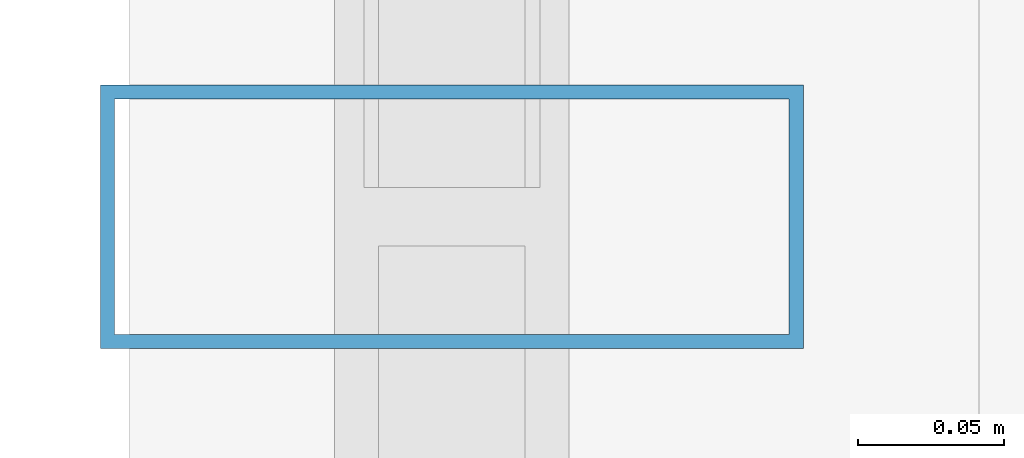
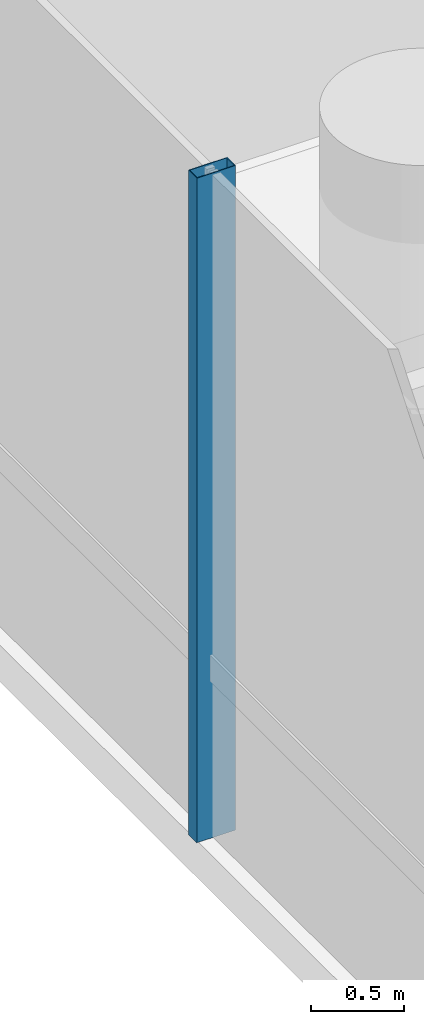
# One storey, part 6 of 32: 1 member, 1 element without a shape of its own.
"""IFC4 building model written with IfcOpenShell, lengths in metres."""

import ifcopenshell
import ifcopenshell.guid

model = None  # the IFC model being written
_history = None  # IfcOwnerHistory: only IFC2X3 demands one
_inside = {}  # id of a spatial element -> (the spatial element, [elements in it])
_under = {}  # id of a project, library or spatial element -> (it, [spatial elements below it])
_declared = {}  # id of a project -> (the project, [libraries it declares])
_typed = {}  # id of a type object -> (the type object, [elements of that type])
_made_of = {}  # id of a material, layer set ... -> (it, [elements and type objects made of it])


def new_model(schema):
    """Start an empty IFC model of exactly this schema.

    Asked for "IFC4X3", IfcOpenShell would pick the latest addendum, in which some entities
    have other attributes; the version numbers below select the first issue.
    IFC2X3 requires an IfcOwnerHistory on every rooted entity: one is made here for all.
    """
    global model, _history
    if schema == "IFC4X3":
        model = ifcopenshell.file(schema_version=(4, 3, 0, 0))
    else:
        model = ifcopenshell.file(schema=schema)
    _inside.clear()
    _under.clear()
    _declared.clear()
    _typed.clear()
    _made_of.clear()
    _history = None
    if model.schema == "IFC2X3":
        org = make("IfcOrganization", Name="unknown")
        user = make(
            "IfcPersonAndOrganization",
            ThePerson=make("IfcPerson", FamilyName="unknown"),
            TheOrganization=org,
        )
        app = make(
            "IfcApplication",
            ApplicationDeveloper=org,
            Version="unknown",
            ApplicationFullName="unknown",
            ApplicationIdentifier="unknown",
        )
        _history = make(
            "IfcOwnerHistory",
            OwningUser=user,
            OwningApplication=app,
            ChangeAction="ADDED",
            CreationDate=0,
        )
    return model


def make(cls, **values):
    """One entity of the class cls with the attributes given. An attribute that is None is left unset."""
    return model.create_entity(
        cls, **{name: value for name, value in values.items() if value is not None}
    )


def rooted(cls, **values):
    """An entity with a GlobalId (a new one), such as an element, a storey or a relation."""
    return make(cls, GlobalId=ifcopenshell.guid.new(), OwnerHistory=_history, **values)


def si_unit(unit_type, name, prefix=None):
    """IfcSIUnit, for example si_unit("LENGTHUNIT", "METRE", prefix="MILLI")."""
    return make("IfcSIUnit", UnitType=unit_type, Prefix=prefix, Name=name)


def assignment(units):
    """IfcUnitAssignment: the units of a project."""
    return None if units is None else make("IfcUnitAssignment", Units=units)


def point(xyz):
    """IfcCartesianPoint."""
    return None if xyz is None else make("IfcCartesianPoint", Coordinates=xyz)


def direction(xyz):
    """IfcDirection."""
    return None if xyz is None else make("IfcDirection", DirectionRatios=xyz)


def frame(location, z_axis=None, x_axis=None):
    """IfcAxis2Placement3D, a coordinate frame: its origin and axes. An axis left out is left unset."""
    return make(
        "IfcAxis2Placement3D",
        Location=point(location),
        Axis=direction(z_axis),
        RefDirection=direction(x_axis),
    )


def frame_2d(location, x_axis=None):
    """IfcAxis2Placement2D, a coordinate frame in the plane: its origin and x axis."""
    return make(
        "IfcAxis2Placement2D", Location=point(location), RefDirection=direction(x_axis)
    )


def origin():
    """The frame at (0, 0, 0) with its axes left unset."""
    return frame((0.0, 0.0, 0.0))


def origin_2d():
    """The frame at (0, 0) in the plane with its x axis left unset."""
    return frame_2d((0.0, 0.0))


def place(relative_to, where):
    """IfcLocalPlacement: puts the frame where relative to a parent placement (None: the world)."""
    return make(
        "IfcLocalPlacement", PlacementRelTo=relative_to, RelativePlacement=where
    )


def context(
    kind, dimensions, precision=None, world=None, true_north=None, identifier=None
):
    """IfcGeometricRepresentationContext, for example the 3D "Model" context."""
    return make(
        "IfcGeometricRepresentationContext",
        ContextIdentifier=identifier,
        ContextType=kind,
        CoordinateSpaceDimension=dimensions,
        Precision=precision,
        WorldCoordinateSystem=world,
        TrueNorth=true_north,
    )


def subcontext(parent, identifier, kind, view, scale=None):
    """IfcGeometricRepresentationSubContext, for example "Body" below "Model"."""
    return make(
        "IfcGeometricRepresentationSubContext",
        ContextIdentifier=identifier,
        ContextType=kind,
        ParentContext=parent,
        TargetScale=scale,
        TargetView=view,
    )


def project(units=None, contexts=None):
    """IfcProject with its units and contexts."""
    return rooted(
        "IfcProject",
        Name="project",
        RepresentationContexts=contexts,
        UnitsInContext=assignment(units),
    )


def spatial(cls, under=None, at=None, **own):
    """A site, building, storey or space (cls), placed at a placement, below another one or the project."""
    s = rooted(cls, ObjectPlacement=at, **own)
    if under is not None:
        _under.setdefault(under.id(), (under, []))[1].append(s)
    return s


def profile(cls, at=None, kind="AREA", **sizes):
    """A parametric profile (cls). Its sizes go by their IFC names, for example OverallWidth=200.0."""
    return make(cls, ProfileType=kind, Position=at, **sizes)


def hollow_rectangle(**sizes):
    """IfcRectangleHollowProfileDef."""
    return profile("IfcRectangleHollowProfileDef", **sizes)


def extrude(swept, where, along, depth):
    """IfcExtrudedAreaSolid: the profile swept, set in the frame where, extruded along a direction by depth."""
    return make(
        "IfcExtrudedAreaSolid",
        SweptArea=swept,
        Position=where,
        ExtrudedDirection=direction(along),
        Depth=depth,
    )


def shape(context_of_items, identifier, shape_type, items):
    """IfcShapeRepresentation: the items that make up one representation, for example the "Body"."""
    return make(
        "IfcShapeRepresentation",
        ContextOfItems=context_of_items,
        RepresentationIdentifier=identifier,
        RepresentationType=shape_type,
        Items=items,
    )


def source(mapping_origin, context_of_items, identifier, shape_type, items):
    """IfcRepresentationMap: a shape defined once, which mapped items show again and again."""
    return make(
        "IfcRepresentationMap",
        MappingOrigin=mapping_origin,
        MappedRepresentation=shape(context_of_items, identifier, shape_type, items),
    )


def transform(
    local_origin,
    x_axis=None,
    y_axis=None,
    z_axis=None,
    scale=None,
    scale2=None,
    scale3=None,
    uniform=True,
):
    """IfcCartesianTransformationOperator3D, or its non-uniform kind. x_axis, y_axis, z_axis: its Axis1, 2, 3."""
    if uniform:
        return make(
            "IfcCartesianTransformationOperator3D",
            Axis1=direction(x_axis),
            Axis2=direction(y_axis),
            LocalOrigin=point(local_origin),
            Scale=scale,
            Axis3=direction(z_axis),
        )
    return make(
        "IfcCartesianTransformationOperator3DnonUniform",
        Axis1=direction(x_axis),
        Axis2=direction(y_axis),
        LocalOrigin=point(local_origin),
        Scale=scale,
        Axis3=direction(z_axis),
        Scale2=scale2,
        Scale3=scale3,
    )


def mapped(mapping_source, mapping_target):
    """IfcMappedItem: shows the shape of a source again, moved by a transform."""
    return make(
        "IfcMappedItem", MappingSource=mapping_source, MappingTarget=mapping_target
    )


def material(Name=None, Category=None):
    """IfcMaterial."""
    return make("IfcMaterial", Name=Name, Category=Category)


def material_profile(
    of_material, cross_section, Name=None, Category=None, Priority=None
):
    """IfcMaterialProfile: a cross section and its material."""
    return make(
        "IfcMaterialProfile",
        Name=Name,
        Material=of_material,
        Profile=cross_section,
        Priority=Priority,
        Category=Category,
    )


def profile_set(profiles, Name=None, composite=None):
    """IfcMaterialProfileSet."""
    return make(
        "IfcMaterialProfileSet",
        Name=Name,
        MaterialProfiles=profiles,
        CompositeProfile=composite,
    )


def made_of(thing, what):
    """Note that an element or type object is made of a material, layer set ...; save() writes the relation."""
    if what is not None:
        _made_of.setdefault(what.id(), (what, []))[1].append(thing)
    return thing


def type_object(cls, material=None, **own):
    """A type object (cls), such as IfcWallType, which elements share."""
    return made_of(rooted(cls, **own), material)


def element(
    cls,
    number,
    at=None,
    inside=None,
    cuts=None,
    type_object=None,
    material=None,
    context=None,
    identifier="Body",
    shape_type=None,
    held_by="IfcProductDefinitionShape",
    body=None,
    shapes=None,
    **own,
):
    """One element of the class cls, such as IfcWall. Its Tag is "e" and its number.

    at: its placement. inside: the storey or other place that contains it. cuts: it is an
    opening in that element (IfcRelVoidsElement). A single representation is given by context,
    identifier, shape_type and body (its items); several are given by shapes. held_by: the class
    of the entity that holds the representations. save() writes the other relations.
    """
    e = rooted(cls, Tag="e%d" % number, ObjectPlacement=at, **own)
    if body is not None:
        shapes = [shape(context, identifier, shape_type, body)]
    if shapes is not None:
        e.Representation = make(held_by, Representations=shapes)
    if inside is not None:
        _inside.setdefault(inside.id(), (inside, []))[1].append(e)
    if cuts is not None:
        rooted(
            "IfcRelVoidsElement", RelatingBuildingElement=cuts, RelatedOpeningElement=e
        )
    if type_object is not None:
        _typed.setdefault(type_object.id(), (type_object, []))[1].append(e)
    return made_of(e, material)


def aggregate(whole, parts):
    """IfcRelAggregates: a whole, such as a stair, and the parts it consists of."""
    return rooted("IfcRelAggregates", RelatingObject=whole, RelatedObjects=parts)


def save(model, path):
    """Write the relations noted so far, then the file.

    IfcRelAggregates (storeys below a building ...), IfcRelContainedInSpatialStructure (elements
    in a storey), IfcRelDefinesByType, IfcRelAssociatesMaterial and IfcRelDeclares: one each for
    every whole, place, type object, material and project.
    """
    for whole, parts in _under.values():
        aggregate(whole, parts)
    for where, things in _inside.values():
        rooted(
            "IfcRelContainedInSpatialStructure",
            RelatedElements=things,
            RelatingStructure=where,
        )
    for kind, things in _typed.values():
        rooted("IfcRelDefinesByType", RelatedObjects=things, RelatingType=kind)
    for what, things in _made_of.values():
        rooted("IfcRelAssociatesMaterial", RelatedObjects=things, RelatingMaterial=what)
    for by, libraries in _declared.values():
        rooted("IfcRelDeclares", RelatingContext=by, RelatedDefinitions=libraries)
    model.write(path)


model = new_model("IFC4")

# Units and contexts
model_context = context("Model", 3, precision=1e-05, world=origin(), true_north=direction((0.0, 1.0)))
body_context = subcontext(model_context, "Body", "Model", "MODEL_VIEW")
ifc_project = project(units=[si_unit("LENGTHUNIT", "METRE"), si_unit("AREAUNIT", "SQUARE_METRE"), si_unit("VOLUMEUNIT", "CUBIC_METRE"), si_unit("PLANEANGLEUNIT", "RADIAN"), si_unit("MASSUNIT", "GRAM", prefix="KILO")], contexts=[model_context])

# Site, building, storey
site_placement = place(None, origin())
site = spatial("IfcSite", under=ifc_project, at=site_placement, CompositionType="ELEMENT")
building_placement = place(site_placement, origin())
building = spatial("IfcBuilding", under=site, at=building_placement, Name="Valdorenza Pilgrim Sanctuary Tower", CompositionType="ELEMENT")
storey_placement = place(building_placement, frame((0.0, 0.0, 101.10009765625)))
storey = spatial("IfcBuildingStorey", under=building, at=storey_placement, Name="L25", CompositionType="ELEMENT", Elevation=101.10009765625)

# Curtain wall, member
ifc_material_1 = material(Name="Curtain-wall IGU glazing", Category="glass")
curtain_wall_type = type_object("IfcCurtainWallType", Name="CW-SYS-04", PredefinedType="NOTDEFINED", material=ifc_material_1)
curtain_wall_placement = place(storey_placement, origin())
curtain_wall = element("IfcCurtainWall", 1, at=curtain_wall_placement, inside=storey, type_object=curtain_wall_type, Name="L25 Curtain Wall CW-L25-1-1", PredefinedType="NOTDEFINED")
ifc_material_2 = material(Name="Anodised aluminium AW-6060", Category="aluminium")
ifc_material_profile = material_profile(ifc_material_2, hollow_rectangle(XDim=0.090087890625, YDim=0.239990234375, WallThickness=0.0048828125, at=origin_2d()), Name="ALU-M 240x90x5")
ifc_profile_set = profile_set([ifc_material_profile], Name="Anodised aluminium AW-6060")
member_type = type_object("IfcMemberType", Name="CW-MUL-04", PredefinedType="MULLION", material=ifc_profile_set)
shared_shape = source(origin(), body_context, "Body", "SweptSolid", [
    extrude(hollow_rectangle(XDim=0.090087890625, YDim=0.239990234375, WallThickness=0.0048828125, at=origin_2d()), origin(), (0.0, 0.0, 1.0), 4.35986328125),
])
member_placement = place(storey_placement, frame((-30.889892578125, -2.2333984375, 0.0), z_axis=(0.0, 0.0, 1.0), x_axis=(0.0, 1.0, 0.0)))
member = element("IfcMember", 2, at=member_placement, type_object=member_type, Name="CW-L25-1-1 Mullion 3", PredefinedType="MULLION", context=body_context, shape_type="MappedRepresentation", body=[
    mapped(shared_shape, transform((0.0, 0.0, 0.0), x_axis=(1.0, 0.0, 0.0), y_axis=(0.0, 1.0, 0.0), z_axis=(0.0, 0.0, 1.0), scale=1.0)),
])
aggregate(curtain_wall, [member])

save(model, "model.ifc")
